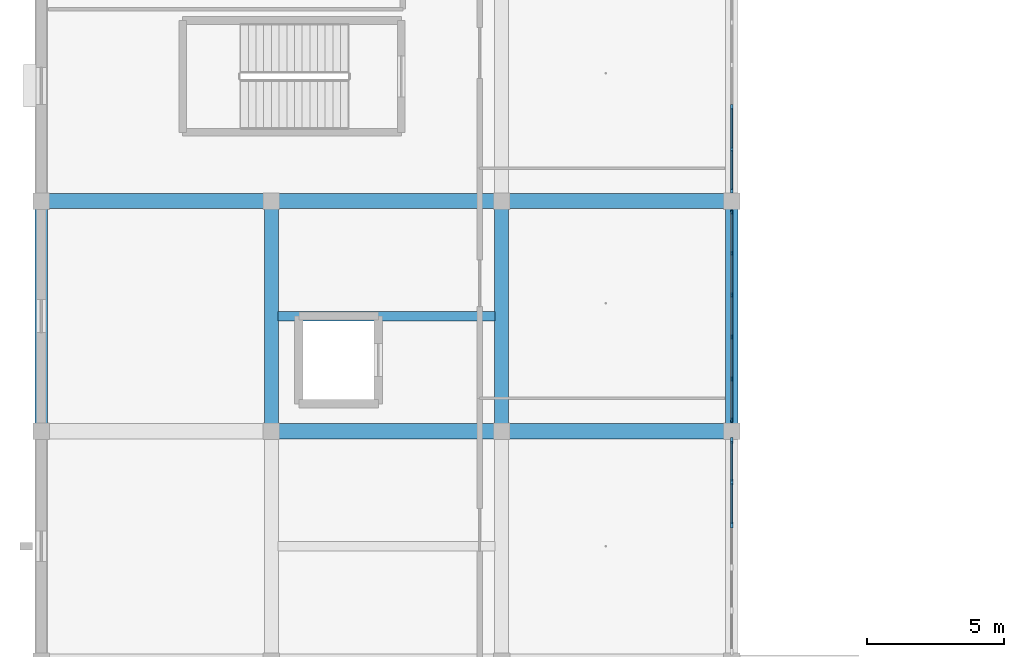
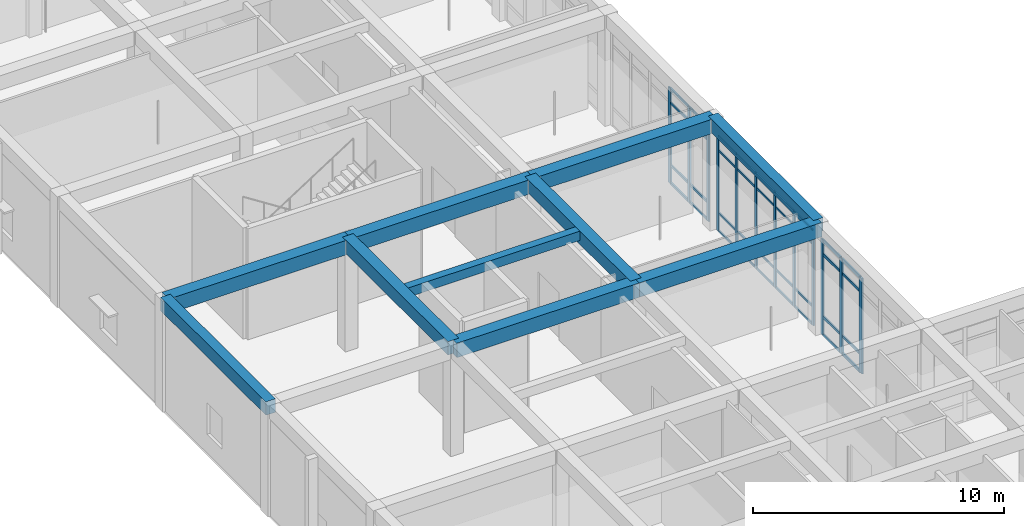
# One storey, part 11 of 157: 48 members, 10 beams, 3 elements without a shape of their own.
"""IFC4 building model written with IfcOpenShell, lengths in metres."""

from ifc_helpers import new_model, si_unit, direction, frame, origin, origin_2d, place, context, subcontext, project, spatial, rectangle, extrude, material, material_profile, profile_set, type_object, element, aggregate, save


model = new_model("IFC4")

# Units and contexts
model_context = context("Model", 3, precision=1e-05, world=origin(), true_north=direction((0.0, 1.0)))
body_context = subcontext(model_context, "Body", "Model", "MODEL_VIEW")
ifc_project = project(units=[si_unit("LENGTHUNIT", "METRE"), si_unit("AREAUNIT", "SQUARE_METRE"), si_unit("VOLUMEUNIT", "CUBIC_METRE"), si_unit("PLANEANGLEUNIT", "RADIAN"), si_unit("MASSUNIT", "GRAM", prefix="KILO")], contexts=[model_context])

# Site, building, storey
site_placement = place(None, origin())
site = spatial("IfcSite", under=ifc_project, at=site_placement, CompositionType="ELEMENT")
building_placement = place(site_placement, origin())
building = spatial("IfcBuilding", under=site, at=building_placement, Name="Varncliffe General Hospital", CompositionType="ELEMENT")
storey_placement = place(building_placement, frame((0.0, 0.0, 5.39990234375)))
storey = spatial("IfcBuildingStorey", under=building, at=storey_placement, Name="L01", CompositionType="ELEMENT", Elevation=5.39990234375)

# Beams
ifc_material_1 = material(Name="Concrete C35/45 (CSA A23.1 35 MPa)", Category="concrete")
ifc_material_profile_1 = material_profile(ifc_material_1, rectangle(XDim=0.5, YDim=0.64990234375, at=origin_2d()), Name="RC 500x650")
ifc_profile_set_1 = profile_set([ifc_material_profile_1], Name="Concrete C35/45 (CSA A23.1 35 MPa)")
beam_type_1 = type_object("IfcBeamType", Name="Beam B29 (Int RC 500x650)", PredefinedType="BEAM", material=ifc_profile_set_1)
for number, where, z_axis, x_axis, name in (
    (1, (8.39990234375, 49.199951171875, 5.0751953125), (0.0, 1.0, 0.0), (-1.0, 0.0, 0.0), "L01 Primary Beam B29-282"),
    (2, (16.800048828125, 49.199951171875, 5.0751953125), (0.0, 1.0, 0.0), (-1.0, 0.0, 0.0), "L01 Primary Beam B29-298"),
):
    element("IfcBeam", number, at=place(storey_placement, frame(where, z_axis=z_axis, x_axis=x_axis)), inside=storey, type_object=beam_type_1, Name=name, PredefinedType="BEAM", context=body_context, shape_type="SweptSolid", body=[
        extrude(rectangle(XDim=0.5, YDim=0.64990234375, at=origin_2d()), origin(), (0.0, 0.0, 1.0), 8.400146484375),
    ])
ifc_material_profile_2 = material_profile(ifc_material_1, rectangle(XDim=0.550048828125, YDim=0.699951171875, at=origin_2d()), Name="RC 550x700")
ifc_profile_set_2 = profile_set([ifc_material_profile_2], Name="Concrete C35/45 (CSA A23.1 35 MPa)")
beam_type_2 = type_object("IfcBeamType", Name="Beam B35 (Int RC 550x700)", PredefinedType="BEAM", material=ifc_profile_set_2)
beam_1_placement = place(storey_placement, frame((8.39990234375, 49.199951171875, 5.050048828125), z_axis=(1.0, 0.0, 0.0), x_axis=(0.0, 1.0, 0.0)))
element("IfcBeam", 3, at=beam_1_placement, inside=storey, type_object=beam_type_2, Name="L01 Primary Beam B35-68", PredefinedType="BEAM", context=body_context, shape_type="SweptSolid", body=[
    extrude(rectangle(XDim=0.550048828125, YDim=0.699951171875, at=origin_2d()), origin(), (0.0, 0.0, 1.0), 8.400146484375),
])
for number, where, z_axis, x_axis, name in (
    (4, (16.800048828125, 49.199951171875, 5.050048828125), (1.0, 0.0, 0.0), (0.0, 1.0, 0.0), "L01 Primary Beam B35-69"),
    (5, (0.0, 57.60009765625, 5.050048828125), (1.0, 0.0, 0.0), (0.0, 1.0, 0.0), "L01 Primary Beam B35-73"),
):
    element("IfcBeam", number, at=place(storey_placement, frame(where, z_axis=z_axis, x_axis=x_axis)), inside=storey, type_object=beam_type_2, Name=name, PredefinedType="BEAM", context=body_context, shape_type="SweptSolid", body=[
        extrude(rectangle(XDim=0.550048828125, YDim=0.699951171875, at=origin_2d()), origin(), (0.0, 0.0, 1.0), 8.39990234375),
    ])
beam_2_placement = place(storey_placement, frame((8.39990234375, 57.60009765625, 5.050048828125), z_axis=(1.0, 0.0, 0.0), x_axis=(0.0, 1.0, 0.0)))
element("IfcBeam", 6, at=beam_2_placement, inside=storey, type_object=beam_type_2, Name="L01 Primary Beam B35-74", PredefinedType="BEAM", context=body_context, shape_type="SweptSolid", body=[
    extrude(rectangle(XDim=0.550048828125, YDim=0.699951171875, at=origin_2d()), origin(), (0.0, 0.0, 1.0), 8.400146484375),
])
beam_3_placement = place(storey_placement, frame((16.800048828125, 57.60009765625, 5.050048828125), z_axis=(1.0, 0.0, 0.0), x_axis=(0.0, 1.0, 0.0)))
element("IfcBeam", 7, at=beam_3_placement, inside=storey, type_object=beam_type_2, Name="L01 Primary Beam B35-75", PredefinedType="BEAM", context=body_context, shape_type="SweptSolid", body=[
    extrude(rectangle(XDim=0.550048828125, YDim=0.699951171875, at=origin_2d()), origin(), (0.0, 0.0, 1.0), 8.39990234375),
])

# Curtain wall, members
ifc_material_2 = material(Name="Triple low-E argon insulated vision glazing", Category="glass")
curtain_wall_type_1 = type_object("IfcCurtainWallType", Name="Unitised Glazed Curtain Wall CW70 (7724x4640)", PredefinedType="USERDEFINED", material=ifc_material_2)
curtain_wall_1_placement = place(storey_placement, origin())
curtain_wall_1 = element("IfcCurtainWall", 8, at=curtain_wall_1_placement, inside=storey, type_object=curtain_wall_type_1, Name="L01 Glazed Curtain Wall CW70-79", ObjectType="GLAZED CURTAIN WALL", PredefinedType="USERDEFINED")
ifc_material_3 = material(Name="Dark bronze thermally broken aluminium framing", Category="aluminium")
ifc_material_profile_3 = material_profile(ifc_material_3, rectangle(XDim=0.074951171875, YDim=0.179931640625, at=origin_2d()), Name="ALU 75x180")
ifc_profile_set_3 = profile_set([ifc_material_profile_3], Name="Dark bronze thermally broken aluminium framing")
member_type_1 = type_object("IfcMemberType", Name="Curtain Wall Mullion CM44 (ALU 75x180)", PredefinedType="MULLION", material=ifc_profile_set_3)
member_1_placement = place(storey_placement, frame((25.199951171875, 61.027587890625, 0.0), z_axis=(0.0, 0.0, 1.0), x_axis=(1.0, 0.0, 0.0)))
member_1 = element("IfcMember", 9, at=member_1_placement, type_object=member_type_1, Name="CW70 mullion 4", PredefinedType="MULLION", context=body_context, shape_type="SweptSolid", body=[
    extrude(rectangle(XDim=0.074951171875, YDim=0.179931640625, at=origin_2d()), origin(), (0.0, 0.0, 1.0), 4.64013671875),
])
member_2_placement = place(storey_placement, frame((25.199951171875, 59.48291015625, 0.0), z_axis=(0.0, 0.0, 1.0), x_axis=(1.0, 0.0, 0.0)))
member_2 = element("IfcMember", 10, at=member_2_placement, type_object=member_type_1, Name="CW70 mullion 5", PredefinedType="MULLION", context=body_context, shape_type="SweptSolid", body=[
    extrude(rectangle(XDim=0.074951171875, YDim=0.179931640625, at=origin_2d()), origin(), (0.0, 0.0, 1.0), 4.64013671875),
])
member_3_placement = place(storey_placement, frame((25.199951171875, 57.9755859375, 0.0), z_axis=(0.0, 0.0, 1.0), x_axis=(1.0, 0.0, 0.0)))
member_3 = element("IfcMember", 11, at=member_3_placement, type_object=member_type_1, Name="CW70 mullion 6", PredefinedType="MULLION", context=body_context, shape_type="SweptSolid", body=[
    extrude(rectangle(XDim=0.074951171875, YDim=0.179931640625, at=origin_2d()), origin(), (0.0, 0.0, 1.0), 4.64013671875),
])

curtain_wall_type_2 = type_object("IfcCurtainWallType", Name="Unitised Glazed Curtain Wall CW27 (7644x4640)", PredefinedType="USERDEFINED", material=ifc_material_2)
curtain_wall_2_placement = place(storey_placement, origin())
curtain_wall_2 = element("IfcCurtainWall", 12, at=curtain_wall_2_placement, inside=storey, type_object=curtain_wall_type_2, Name="L01 Glazed Curtain Wall CW27-80", ObjectType="GLAZED CURTAIN WALL", PredefinedType="USERDEFINED")
ifc_material_profile_4 = material_profile(ifc_material_3, rectangle(XDim=0.06494140625, YDim=0.159912109375, at=origin_2d()), Name="ALU 65x160")
ifc_profile_set_4 = profile_set([ifc_material_profile_4], Name="Dark bronze thermally broken aluminium framing")
member_type_2 = type_object("IfcMemberType", Name="Curtain Wall Mullion CM65 (ALU 65x160)", PredefinedType="MULLION", material=ifc_profile_set_4)
member_4_placement = place(storey_placement, frame((25.199951171875, 57.189453125, 0.0), z_axis=(0.0, 0.0, 1.0), x_axis=(1.0, 0.0, 0.0)))
member_4 = element("IfcMember", 13, at=member_4_placement, type_object=member_type_2, Name="CW27 mullion 1", PredefinedType="MULLION", context=body_context, shape_type="SweptSolid", body=[
    extrude(rectangle(XDim=0.06494140625, YDim=0.159912109375, at=origin_2d()), origin(), (0.0, 0.0, 1.0), 4.64013671875),
])
member_5_placement = place(storey_placement, frame((25.199951171875, 55.693115234375, 0.0), z_axis=(0.0, 0.0, 1.0), x_axis=(1.0, 0.0, 0.0)))
member_5 = element("IfcMember", 14, at=member_5_placement, type_object=member_type_2, Name="CW27 mullion 2", PredefinedType="MULLION", context=body_context, shape_type="SweptSolid", body=[
    extrude(rectangle(XDim=0.06494140625, YDim=0.159912109375, at=origin_2d()), origin(), (0.0, 0.0, 1.0), 4.64013671875),
])
member_6_placement = place(storey_placement, frame((25.199951171875, 54.164306640625, 0.0), z_axis=(0.0, 0.0, 1.0), x_axis=(1.0, 0.0, 0.0)))
member_6 = element("IfcMember", 15, at=member_6_placement, type_object=member_type_2, Name="CW27 mullion 3", PredefinedType="MULLION", context=body_context, shape_type="SweptSolid", body=[
    extrude(rectangle(XDim=0.06494140625, YDim=0.159912109375, at=origin_2d()), origin(), (0.0, 0.0, 1.0), 4.64013671875),
])
member_7_placement = place(storey_placement, frame((25.199951171875, 52.635498046875, 0.0), z_axis=(0.0, 0.0, 1.0), x_axis=(1.0, 0.0, 0.0)))
member_7 = element("IfcMember", 16, at=member_7_placement, type_object=member_type_2, Name="CW27 mullion 4", PredefinedType="MULLION", context=body_context, shape_type="SweptSolid", body=[
    extrude(rectangle(XDim=0.06494140625, YDim=0.159912109375, at=origin_2d()), origin(), (0.0, 0.0, 1.0), 4.64013671875),
])
member_8_placement = place(storey_placement, frame((25.199951171875, 51.106689453125, 0.0), z_axis=(0.0, 0.0, 1.0), x_axis=(1.0, 0.0, 0.0)))
member_8 = element("IfcMember", 17, at=member_8_placement, type_object=member_type_2, Name="CW27 mullion 5", PredefinedType="MULLION", context=body_context, shape_type="SweptSolid", body=[
    extrude(rectangle(XDim=0.06494140625, YDim=0.159912109375, at=origin_2d()), origin(), (0.0, 0.0, 1.0), 4.64013671875),
])
member_9_placement = place(storey_placement, frame((25.199951171875, 49.610595703125, 0.0), z_axis=(0.0, 0.0, 1.0), x_axis=(1.0, 0.0, 0.0)))
member_9 = element("IfcMember", 18, at=member_9_placement, type_object=member_type_2, Name="CW27 mullion 6", PredefinedType="MULLION", context=body_context, shape_type="SweptSolid", body=[
    extrude(rectangle(XDim=0.06494140625, YDim=0.159912109375, at=origin_2d()), origin(), (0.0, 0.0, 1.0), 4.64013671875),
])

curtain_wall_type_3 = type_object("IfcCurtainWallType", Name="Unitised Glazed Curtain Wall CW85 (7804x4640)", PredefinedType="USERDEFINED", material=ifc_material_2)
curtain_wall_3_placement = place(storey_placement, origin())
curtain_wall_3 = element("IfcCurtainWall", 19, at=curtain_wall_3_placement, inside=storey, type_object=curtain_wall_type_3, Name="L01 Glazed Curtain Wall CW85-81", ObjectType="GLAZED CURTAIN WALL", PredefinedType="USERDEFINED")
ifc_material_profile_5 = material_profile(ifc_material_3, rectangle(XDim=0.074951171875, YDim=0.219970703125, at=origin_2d()), Name="ALU 75x220")
ifc_profile_set_5 = profile_set([ifc_material_profile_5], Name="Dark bronze thermally broken aluminium framing")
member_type_3 = type_object("IfcMemberType", Name="Curtain Wall Mullion CM74 (ALU 75x220)", PredefinedType="MULLION", material=ifc_profile_set_5)
member_10_placement = place(storey_placement, frame((25.199951171875, 48.864501953125, 0.0), z_axis=(0.0, 0.0, 1.0), x_axis=(1.0, 0.0, 0.0)))
member_10 = element("IfcMember", 20, at=member_10_placement, type_object=member_type_3, Name="CW85 mullion 1", PredefinedType="MULLION", context=body_context, shape_type="SweptSolid", body=[
    extrude(rectangle(XDim=0.074951171875, YDim=0.219970703125, at=origin_2d()), origin(), (0.0, 0.0, 1.0), 4.64013671875),
])
member_11_placement = place(storey_placement, frame((25.199951171875, 47.34130859375, 0.0), z_axis=(0.0, 0.0, 1.0), x_axis=(1.0, 0.0, 0.0)))
member_11 = element("IfcMember", 21, at=member_11_placement, type_object=member_type_3, Name="CW85 mullion 2", PredefinedType="MULLION", context=body_context, shape_type="SweptSolid", body=[
    extrude(rectangle(XDim=0.074951171875, YDim=0.219970703125, at=origin_2d()), origin(), (0.0, 0.0, 1.0), 4.64013671875),
])
member_12_placement = place(storey_placement, frame((25.199951171875, 45.780517578125, 0.0), z_axis=(0.0, 0.0, 1.0), x_axis=(1.0, 0.0, 0.0)))
member_12 = element("IfcMember", 22, at=member_12_placement, type_object=member_type_3, Name="CW85 mullion 3", PredefinedType="MULLION", context=body_context, shape_type="SweptSolid", body=[
    extrude(rectangle(XDim=0.074951171875, YDim=0.219970703125, at=origin_2d()), origin(), (0.0, 0.0, 1.0), 4.64013671875),
])

# Member
ifc_material_profile_6 = material_profile(ifc_material_3, rectangle(XDim=0.06005859375, YDim=0.1201171875, at=origin_2d()), Name="ALU 60x120")
ifc_profile_set_6 = profile_set([ifc_material_profile_6], Name="Dark bronze thermally broken aluminium framing")
member_type_4 = type_object("IfcMemberType", Name="Curtain Wall Transom CT14 (ALU 60x120)", PredefinedType="USERDEFINED", material=ifc_profile_set_6)
member_13_placement = place(storey_placement, frame((25.199951171875, 60.989990234375, 0.030029296875), z_axis=(0.0, -1.0, 0.0), x_axis=(1.0, 0.0, 0.0)))
member_13 = element("IfcMember", 23, at=member_13_placement, type_object=member_type_4, Name="CW70 transom 4.1", ObjectType="TRANSOM", PredefinedType="USERDEFINED", context=body_context, shape_type="SweptSolid", body=[
    extrude(rectangle(XDim=0.06005859375, YDim=0.1201171875, at=origin_2d()), origin(), (0.0, 0.0, 1.0), 1.4697265625),
])

member_14_placement = place(storey_placement, frame((25.199951171875, 60.989990234375, 0.900146484375), z_axis=(0.0, -1.0, 0.0), x_axis=(1.0, 0.0, 0.0)))
member_14 = element("IfcMember", 24, at=member_14_placement, type_object=member_type_4, Name="CW70 transom 4.2", ObjectType="TRANSOM", PredefinedType="USERDEFINED", context=body_context, shape_type="SweptSolid", body=[
    extrude(rectangle(XDim=0.06005859375, YDim=0.1201171875, at=origin_2d()), origin(), (0.0, 0.0, 1.0), 1.4697265625),
])

member_15_placement = place(storey_placement, frame((25.199951171875, 60.989990234375, 3.940185546875), z_axis=(0.0, -1.0, 0.0), x_axis=(1.0, 0.0, 0.0)))
member_15 = element("IfcMember", 25, at=member_15_placement, type_object=member_type_4, Name="CW70 transom 4.3", ObjectType="TRANSOM", PredefinedType="USERDEFINED", context=body_context, shape_type="SweptSolid", body=[
    extrude(rectangle(XDim=0.06005859375, YDim=0.1201171875, at=origin_2d()), origin(), (0.0, 0.0, 1.0), 1.4697265625),
])

member_16_placement = place(storey_placement, frame((25.199951171875, 60.989990234375, 4.610107421875), z_axis=(0.0, -1.0, 0.0), x_axis=(1.0, 0.0, 0.0)))
member_16 = element("IfcMember", 26, at=member_16_placement, type_object=member_type_4, Name="CW70 transom 4.4", ObjectType="TRANSOM", PredefinedType="USERDEFINED", context=body_context, shape_type="SweptSolid", body=[
    extrude(rectangle(XDim=0.06005859375, YDim=0.1201171875, at=origin_2d()), origin(), (0.0, 0.0, 1.0), 1.4697265625),
])

member_17_placement = place(storey_placement, frame((25.199951171875, 59.4453125, 0.030029296875), z_axis=(0.0, -1.0, 0.0), x_axis=(1.0, 0.0, 0.0)))
member_17 = element("IfcMember", 27, at=member_17_placement, type_object=member_type_4, Name="CW70 transom 5.1", ObjectType="TRANSOM", PredefinedType="USERDEFINED", context=body_context, shape_type="SweptSolid", body=[
    extrude(rectangle(XDim=0.06005859375, YDim=0.1201171875, at=origin_2d()), origin(), (0.0, 0.0, 1.0), 1.432373046875),
])

member_18_placement = place(storey_placement, frame((25.199951171875, 59.4453125, 0.900146484375), z_axis=(0.0, -1.0, 0.0), x_axis=(1.0, 0.0, 0.0)))
member_18 = element("IfcMember", 28, at=member_18_placement, type_object=member_type_4, Name="CW70 transom 5.2", ObjectType="TRANSOM", PredefinedType="USERDEFINED", context=body_context, shape_type="SweptSolid", body=[
    extrude(rectangle(XDim=0.06005859375, YDim=0.1201171875, at=origin_2d()), origin(), (0.0, 0.0, 1.0), 1.432373046875),
])

member_19_placement = place(storey_placement, frame((25.199951171875, 59.4453125, 3.940185546875), z_axis=(0.0, -1.0, 0.0), x_axis=(1.0, 0.0, 0.0)))
member_19 = element("IfcMember", 29, at=member_19_placement, type_object=member_type_4, Name="CW70 transom 5.3", ObjectType="TRANSOM", PredefinedType="USERDEFINED", context=body_context, shape_type="SweptSolid", body=[
    extrude(rectangle(XDim=0.06005859375, YDim=0.1201171875, at=origin_2d()), origin(), (0.0, 0.0, 1.0), 1.432373046875),
])

member_20_placement = place(storey_placement, frame((25.199951171875, 59.4453125, 4.610107421875), z_axis=(0.0, -1.0, 0.0), x_axis=(1.0, 0.0, 0.0)))
member_20 = element("IfcMember", 30, at=member_20_placement, type_object=member_type_4, Name="CW70 transom 5.4", ObjectType="TRANSOM", PredefinedType="USERDEFINED", context=body_context, shape_type="SweptSolid", body=[
    extrude(rectangle(XDim=0.06005859375, YDim=0.1201171875, at=origin_2d()), origin(), (0.0, 0.0, 1.0), 1.432373046875),
])

aggregate(curtain_wall_1, [member_1, member_2, member_3, member_13, member_14, member_15, member_16, member_17, member_18, member_19, member_20])

ifc_material_profile_7 = material_profile(ifc_material_3, rectangle(XDim=0.06005859375, YDim=0.10009765625, at=origin_2d()), Name="ALU 60x100")
ifc_profile_set_7 = profile_set([ifc_material_profile_7], Name="Dark bronze thermally broken aluminium framing")
member_type_5 = type_object("IfcMemberType", Name="Curtain Wall Transom CT18 (ALU 60x100)", PredefinedType="USERDEFINED", material=ifc_profile_set_7)
member_21_placement = place(storey_placement, frame((25.199951171875, 57.156982421875, 0.030029296875), z_axis=(0.0, -1.0, 0.0), x_axis=(1.0, 0.0, 0.0)))
member_21 = element("IfcMember", 31, at=member_21_placement, type_object=member_type_5, Name="CW27 transom 1.1", ObjectType="TRANSOM", PredefinedType="USERDEFINED", context=body_context, shape_type="SweptSolid", body=[
    extrude(rectangle(XDim=0.06005859375, YDim=0.10009765625, at=origin_2d()), origin(), (0.0, 0.0, 1.0), 1.431396484375),
])

member_22_placement = place(storey_placement, frame((25.199951171875, 57.156982421875, 0.900146484375), z_axis=(0.0, -1.0, 0.0), x_axis=(1.0, 0.0, 0.0)))
member_22 = element("IfcMember", 32, at=member_22_placement, type_object=member_type_5, Name="CW27 transom 1.2", ObjectType="TRANSOM", PredefinedType="USERDEFINED", context=body_context, shape_type="SweptSolid", body=[
    extrude(rectangle(XDim=0.06005859375, YDim=0.10009765625, at=origin_2d()), origin(), (0.0, 0.0, 1.0), 1.431396484375),
])

member_23_placement = place(storey_placement, frame((25.199951171875, 57.156982421875, 3.940185546875), z_axis=(0.0, -1.0, 0.0), x_axis=(1.0, 0.0, 0.0)))
member_23 = element("IfcMember", 33, at=member_23_placement, type_object=member_type_5, Name="CW27 transom 1.3", ObjectType="TRANSOM", PredefinedType="USERDEFINED", context=body_context, shape_type="SweptSolid", body=[
    extrude(rectangle(XDim=0.06005859375, YDim=0.10009765625, at=origin_2d()), origin(), (0.0, 0.0, 1.0), 1.431396484375),
])

member_24_placement = place(storey_placement, frame((25.199951171875, 57.156982421875, 4.610107421875), z_axis=(0.0, -1.0, 0.0), x_axis=(1.0, 0.0, 0.0)))
member_24 = element("IfcMember", 34, at=member_24_placement, type_object=member_type_5, Name="CW27 transom 1.4", ObjectType="TRANSOM", PredefinedType="USERDEFINED", context=body_context, shape_type="SweptSolid", body=[
    extrude(rectangle(XDim=0.06005859375, YDim=0.10009765625, at=origin_2d()), origin(), (0.0, 0.0, 1.0), 1.431396484375),
])

member_25_placement = place(storey_placement, frame((25.199951171875, 55.66064453125, 0.030029296875), z_axis=(0.0, -1.0, 0.0), x_axis=(1.0, 0.0, 0.0)))
member_25 = element("IfcMember", 35, at=member_25_placement, type_object=member_type_5, Name="CW27 transom 2.1", ObjectType="TRANSOM", PredefinedType="USERDEFINED", context=body_context, shape_type="SweptSolid", body=[
    extrude(rectangle(XDim=0.06005859375, YDim=0.10009765625, at=origin_2d()), origin(), (0.0, 0.0, 1.0), 1.463623046875),
])

member_26_placement = place(storey_placement, frame((25.199951171875, 55.66064453125, 0.900146484375), z_axis=(0.0, -1.0, 0.0), x_axis=(1.0, 0.0, 0.0)))
member_26 = element("IfcMember", 36, at=member_26_placement, type_object=member_type_5, Name="CW27 transom 2.2", ObjectType="TRANSOM", PredefinedType="USERDEFINED", context=body_context, shape_type="SweptSolid", body=[
    extrude(rectangle(XDim=0.06005859375, YDim=0.10009765625, at=origin_2d()), origin(), (0.0, 0.0, 1.0), 1.463623046875),
])

member_27_placement = place(storey_placement, frame((25.199951171875, 55.66064453125, 3.940185546875), z_axis=(0.0, -1.0, 0.0), x_axis=(1.0, 0.0, 0.0)))
member_27 = element("IfcMember", 37, at=member_27_placement, type_object=member_type_5, Name="CW27 transom 2.3", ObjectType="TRANSOM", PredefinedType="USERDEFINED", context=body_context, shape_type="SweptSolid", body=[
    extrude(rectangle(XDim=0.06005859375, YDim=0.10009765625, at=origin_2d()), origin(), (0.0, 0.0, 1.0), 1.463623046875),
])

member_28_placement = place(storey_placement, frame((25.199951171875, 55.66064453125, 4.610107421875), z_axis=(0.0, -1.0, 0.0), x_axis=(1.0, 0.0, 0.0)))
member_28 = element("IfcMember", 38, at=member_28_placement, type_object=member_type_5, Name="CW27 transom 2.4", ObjectType="TRANSOM", PredefinedType="USERDEFINED", context=body_context, shape_type="SweptSolid", body=[
    extrude(rectangle(XDim=0.06005859375, YDim=0.10009765625, at=origin_2d()), origin(), (0.0, 0.0, 1.0), 1.463623046875),
])

member_29_placement = place(storey_placement, frame((25.199951171875, 54.1318359375, 0.030029296875), z_axis=(0.0, -1.0, 0.0), x_axis=(1.0, 0.0, 0.0)))
member_29 = element("IfcMember", 39, at=member_29_placement, type_object=member_type_5, Name="CW27 transom 3.1", ObjectType="TRANSOM", PredefinedType="USERDEFINED", context=body_context, shape_type="SweptSolid", body=[
    extrude(rectangle(XDim=0.06005859375, YDim=0.10009765625, at=origin_2d()), origin(), (0.0, 0.0, 1.0), 1.463623046875),
])

member_30_placement = place(storey_placement, frame((25.199951171875, 54.1318359375, 0.900146484375), z_axis=(0.0, -1.0, 0.0), x_axis=(1.0, 0.0, 0.0)))
member_30 = element("IfcMember", 40, at=member_30_placement, type_object=member_type_5, Name="CW27 transom 3.2", ObjectType="TRANSOM", PredefinedType="USERDEFINED", context=body_context, shape_type="SweptSolid", body=[
    extrude(rectangle(XDim=0.06005859375, YDim=0.10009765625, at=origin_2d()), origin(), (0.0, 0.0, 1.0), 1.463623046875),
])

member_31_placement = place(storey_placement, frame((25.199951171875, 54.1318359375, 3.940185546875), z_axis=(0.0, -1.0, 0.0), x_axis=(1.0, 0.0, 0.0)))
member_31 = element("IfcMember", 41, at=member_31_placement, type_object=member_type_5, Name="CW27 transom 3.3", ObjectType="TRANSOM", PredefinedType="USERDEFINED", context=body_context, shape_type="SweptSolid", body=[
    extrude(rectangle(XDim=0.06005859375, YDim=0.10009765625, at=origin_2d()), origin(), (0.0, 0.0, 1.0), 1.463623046875),
])

member_32_placement = place(storey_placement, frame((25.199951171875, 54.1318359375, 4.610107421875), z_axis=(0.0, -1.0, 0.0), x_axis=(1.0, 0.0, 0.0)))
member_32 = element("IfcMember", 42, at=member_32_placement, type_object=member_type_5, Name="CW27 transom 3.4", ObjectType="TRANSOM", PredefinedType="USERDEFINED", context=body_context, shape_type="SweptSolid", body=[
    extrude(rectangle(XDim=0.06005859375, YDim=0.10009765625, at=origin_2d()), origin(), (0.0, 0.0, 1.0), 1.463623046875),
])

member_33_placement = place(storey_placement, frame((25.199951171875, 52.60302734375, 0.030029296875), z_axis=(0.0, -1.0, 0.0), x_axis=(1.0, 0.0, 0.0)))
member_33 = element("IfcMember", 43, at=member_33_placement, type_object=member_type_5, Name="CW27 transom 4.1", ObjectType="TRANSOM", PredefinedType="USERDEFINED", context=body_context, shape_type="SweptSolid", body=[
    extrude(rectangle(XDim=0.06005859375, YDim=0.10009765625, at=origin_2d()), origin(), (0.0, 0.0, 1.0), 1.463623046875),
])

member_34_placement = place(storey_placement, frame((25.199951171875, 52.60302734375, 0.900146484375), z_axis=(0.0, -1.0, 0.0), x_axis=(1.0, 0.0, 0.0)))
member_34 = element("IfcMember", 44, at=member_34_placement, type_object=member_type_5, Name="CW27 transom 4.2", ObjectType="TRANSOM", PredefinedType="USERDEFINED", context=body_context, shape_type="SweptSolid", body=[
    extrude(rectangle(XDim=0.06005859375, YDim=0.10009765625, at=origin_2d()), origin(), (0.0, 0.0, 1.0), 1.463623046875),
])

member_35_placement = place(storey_placement, frame((25.199951171875, 52.60302734375, 3.940185546875), z_axis=(0.0, -1.0, 0.0), x_axis=(1.0, 0.0, 0.0)))
member_35 = element("IfcMember", 45, at=member_35_placement, type_object=member_type_5, Name="CW27 transom 4.3", ObjectType="TRANSOM", PredefinedType="USERDEFINED", context=body_context, shape_type="SweptSolid", body=[
    extrude(rectangle(XDim=0.06005859375, YDim=0.10009765625, at=origin_2d()), origin(), (0.0, 0.0, 1.0), 1.463623046875),
])

member_36_placement = place(storey_placement, frame((25.199951171875, 52.60302734375, 4.610107421875), z_axis=(0.0, -1.0, 0.0), x_axis=(1.0, 0.0, 0.0)))
member_36 = element("IfcMember", 46, at=member_36_placement, type_object=member_type_5, Name="CW27 transom 4.4", ObjectType="TRANSOM", PredefinedType="USERDEFINED", context=body_context, shape_type="SweptSolid", body=[
    extrude(rectangle(XDim=0.06005859375, YDim=0.10009765625, at=origin_2d()), origin(), (0.0, 0.0, 1.0), 1.463623046875),
])

member_37_placement = place(storey_placement, frame((25.199951171875, 51.07421875, 0.030029296875), z_axis=(0.0, -1.0, 0.0), x_axis=(1.0, 0.0, 0.0)))
member_37 = element("IfcMember", 47, at=member_37_placement, type_object=member_type_5, Name="CW27 transom 5.1", ObjectType="TRANSOM", PredefinedType="USERDEFINED", context=body_context, shape_type="SweptSolid", body=[
    extrude(rectangle(XDim=0.06005859375, YDim=0.10009765625, at=origin_2d()), origin(), (0.0, 0.0, 1.0), 1.43115234375),
])

member_38_placement = place(storey_placement, frame((25.199951171875, 51.07421875, 0.900146484375), z_axis=(0.0, -1.0, 0.0), x_axis=(1.0, 0.0, 0.0)))
member_38 = element("IfcMember", 48, at=member_38_placement, type_object=member_type_5, Name="CW27 transom 5.2", ObjectType="TRANSOM", PredefinedType="USERDEFINED", context=body_context, shape_type="SweptSolid", body=[
    extrude(rectangle(XDim=0.06005859375, YDim=0.10009765625, at=origin_2d()), origin(), (0.0, 0.0, 1.0), 1.43115234375),
])

member_39_placement = place(storey_placement, frame((25.199951171875, 51.07421875, 3.940185546875), z_axis=(0.0, -1.0, 0.0), x_axis=(1.0, 0.0, 0.0)))
member_39 = element("IfcMember", 49, at=member_39_placement, type_object=member_type_5, Name="CW27 transom 5.3", ObjectType="TRANSOM", PredefinedType="USERDEFINED", context=body_context, shape_type="SweptSolid", body=[
    extrude(rectangle(XDim=0.06005859375, YDim=0.10009765625, at=origin_2d()), origin(), (0.0, 0.0, 1.0), 1.43115234375),
])

member_40_placement = place(storey_placement, frame((25.199951171875, 51.07421875, 4.610107421875), z_axis=(0.0, -1.0, 0.0), x_axis=(1.0, 0.0, 0.0)))
member_40 = element("IfcMember", 50, at=member_40_placement, type_object=member_type_5, Name="CW27 transom 5.4", ObjectType="TRANSOM", PredefinedType="USERDEFINED", context=body_context, shape_type="SweptSolid", body=[
    extrude(rectangle(XDim=0.06005859375, YDim=0.10009765625, at=origin_2d()), origin(), (0.0, 0.0, 1.0), 1.43115234375),
])

aggregate(curtain_wall_2, [member_4, member_5, member_6, member_7, member_8, member_9, member_21, member_22, member_23, member_24, member_25, member_26, member_27, member_28, member_29, member_30, member_31, member_32, member_33, member_34, member_35, member_36, member_37, member_38, member_39, member_40])

ifc_material_profile_8 = material_profile(ifc_material_3, rectangle(XDim=0.06494140625, YDim=0.139892578125, at=origin_2d()), Name="ALU 65x140")
ifc_profile_set_8 = profile_set([ifc_material_profile_8], Name="Dark bronze thermally broken aluminium framing")
member_type_6 = type_object("IfcMemberType", Name="Curtain Wall Transom CT69 (ALU 65x140)", PredefinedType="USERDEFINED", material=ifc_profile_set_8)
member_41_placement = place(storey_placement, frame((25.199951171875, 48.826904296875, 0.03271484375), z_axis=(0.0, -1.0, 0.0), x_axis=(1.0, 0.0, 0.0)))
member_41 = element("IfcMember", 51, at=member_41_placement, type_object=member_type_6, Name="CW85 transom 1.1", ObjectType="TRANSOM", PredefinedType="USERDEFINED", context=body_context, shape_type="SweptSolid", body=[
    extrude(rectangle(XDim=0.06494140625, YDim=0.139892578125, at=origin_2d()), origin(), (0.0, 0.0, 1.0), 1.4482421875),
])

member_42_placement = place(storey_placement, frame((25.199951171875, 48.826904296875, 0.900146484375), z_axis=(0.0, -1.0, 0.0), x_axis=(1.0, 0.0, 0.0)))
member_42 = element("IfcMember", 52, at=member_42_placement, type_object=member_type_6, Name="CW85 transom 1.2", ObjectType="TRANSOM", PredefinedType="USERDEFINED", context=body_context, shape_type="SweptSolid", body=[
    extrude(rectangle(XDim=0.06494140625, YDim=0.139892578125, at=origin_2d()), origin(), (0.0, 0.0, 1.0), 1.4482421875),
])

member_43_placement = place(storey_placement, frame((25.199951171875, 48.826904296875, 3.940185546875), z_axis=(0.0, -1.0, 0.0), x_axis=(1.0, 0.0, 0.0)))
member_43 = element("IfcMember", 53, at=member_43_placement, type_object=member_type_6, Name="CW85 transom 1.3", ObjectType="TRANSOM", PredefinedType="USERDEFINED", context=body_context, shape_type="SweptSolid", body=[
    extrude(rectangle(XDim=0.06494140625, YDim=0.139892578125, at=origin_2d()), origin(), (0.0, 0.0, 1.0), 1.4482421875),
])

member_44_placement = place(storey_placement, frame((25.199951171875, 48.826904296875, 4.607666015625), z_axis=(0.0, -1.0, 0.0), x_axis=(1.0, 0.0, 0.0)))
member_44 = element("IfcMember", 54, at=member_44_placement, type_object=member_type_6, Name="CW85 transom 1.4", ObjectType="TRANSOM", PredefinedType="USERDEFINED", context=body_context, shape_type="SweptSolid", body=[
    extrude(rectangle(XDim=0.06494140625, YDim=0.139892578125, at=origin_2d()), origin(), (0.0, 0.0, 1.0), 1.4482421875),
])

member_45_placement = place(storey_placement, frame((25.199951171875, 47.3037109375, 0.03271484375), z_axis=(0.0, -1.0, 0.0), x_axis=(1.0, 0.0, 0.0)))
member_45 = element("IfcMember", 55, at=member_45_placement, type_object=member_type_6, Name="CW85 transom 2.1", ObjectType="TRANSOM", PredefinedType="USERDEFINED", context=body_context, shape_type="SweptSolid", body=[
    extrude(rectangle(XDim=0.06494140625, YDim=0.139892578125, at=origin_2d()), origin(), (0.0, 0.0, 1.0), 1.48583984375),
])

member_46_placement = place(storey_placement, frame((25.199951171875, 47.3037109375, 0.900146484375), z_axis=(0.0, -1.0, 0.0), x_axis=(1.0, 0.0, 0.0)))
member_46 = element("IfcMember", 56, at=member_46_placement, type_object=member_type_6, Name="CW85 transom 2.2", ObjectType="TRANSOM", PredefinedType="USERDEFINED", context=body_context, shape_type="SweptSolid", body=[
    extrude(rectangle(XDim=0.06494140625, YDim=0.139892578125, at=origin_2d()), origin(), (0.0, 0.0, 1.0), 1.48583984375),
])

member_47_placement = place(storey_placement, frame((25.199951171875, 47.3037109375, 3.940185546875), z_axis=(0.0, -1.0, 0.0), x_axis=(1.0, 0.0, 0.0)))
member_47 = element("IfcMember", 57, at=member_47_placement, type_object=member_type_6, Name="CW85 transom 2.3", ObjectType="TRANSOM", PredefinedType="USERDEFINED", context=body_context, shape_type="SweptSolid", body=[
    extrude(rectangle(XDim=0.06494140625, YDim=0.139892578125, at=origin_2d()), origin(), (0.0, 0.0, 1.0), 1.48583984375),
])

member_48_placement = place(storey_placement, frame((25.199951171875, 47.3037109375, 4.607666015625), z_axis=(0.0, -1.0, 0.0), x_axis=(1.0, 0.0, 0.0)))
member_48 = element("IfcMember", 58, at=member_48_placement, type_object=member_type_6, Name="CW85 transom 2.4", ObjectType="TRANSOM", PredefinedType="USERDEFINED", context=body_context, shape_type="SweptSolid", body=[
    extrude(rectangle(XDim=0.06494140625, YDim=0.139892578125, at=origin_2d()), origin(), (0.0, 0.0, 1.0), 1.48583984375),
])

aggregate(curtain_wall_3, [member_10, member_11, member_12, member_41, member_42, member_43, member_44, member_45, member_46, member_47, member_48])

# Beams
ifc_material_profile_9 = material_profile(ifc_material_1, rectangle(XDim=0.35009765625, YDim=0.449951171875, at=origin_2d()), Name="RC 350x450")
ifc_profile_set_9 = profile_set([ifc_material_profile_9], Name="Concrete C35/45 (CSA A23.1 35 MPa)")
beam_type_3 = type_object("IfcBeamType", Name="Joist J55 (Int RC 350x450)", PredefinedType="JOIST", material=ifc_profile_set_9)
beam_4_placement = place(storey_placement, frame((8.64794921875, 53.39990234375, 5.175048828125), z_axis=(1.0, 0.0, 0.0), x_axis=(0.0, 1.0, 0.0)))
element("IfcBeam", 59, at=beam_4_placement, inside=storey, type_object=beam_type_3, Name="L01 Secondary Floor Rib J55-6", PredefinedType="JOIST", context=body_context, shape_type="SweptSolid", body=[
    extrude(rectangle(XDim=0.35009765625, YDim=0.449951171875, at=origin_2d()), origin(), (0.0, 0.0, 1.0), 7.904052734375),
])
ifc_material_profile_10 = material_profile(ifc_material_1, rectangle(XDim=0.449951171875, YDim=0.64990234375, at=origin_2d()), Name="RC 450x650")
ifc_profile_set_10 = profile_set([ifc_material_profile_10], Name="Concrete C35/45 (CSA A23.1 35 MPa)")
beam_type_4 = type_object("IfcBeamType", Name="Spandrel SP38 (Ext RC 450x650B)", PredefinedType="SPANDREL", material=ifc_profile_set_10)
for number, where, z_axis, x_axis, name in (
    (60, (0.0, 49.199951171875, 5.0751953125), (0.0, 1.0, 0.0), (-1.0, 0.0, 0.0), "L01 Spandrel Beam SP38-265"),
    (61, (25.199951171875, 49.199951171875, 5.0751953125), (0.0, 1.0, 0.0), (-1.0, 0.0, 0.0), "L01 Spandrel Beam SP38-315"),
):
    element("IfcBeam", number, at=place(storey_placement, frame(where, z_axis=z_axis, x_axis=x_axis)), inside=storey, type_object=beam_type_4, Name=name, PredefinedType="SPANDREL", context=body_context, shape_type="SweptSolid", body=[
        extrude(rectangle(XDim=0.449951171875, YDim=0.64990234375, at=origin_2d()), origin(), (0.0, 0.0, 1.0), 8.400146484375),
    ])

save(model, "model.ifc")
